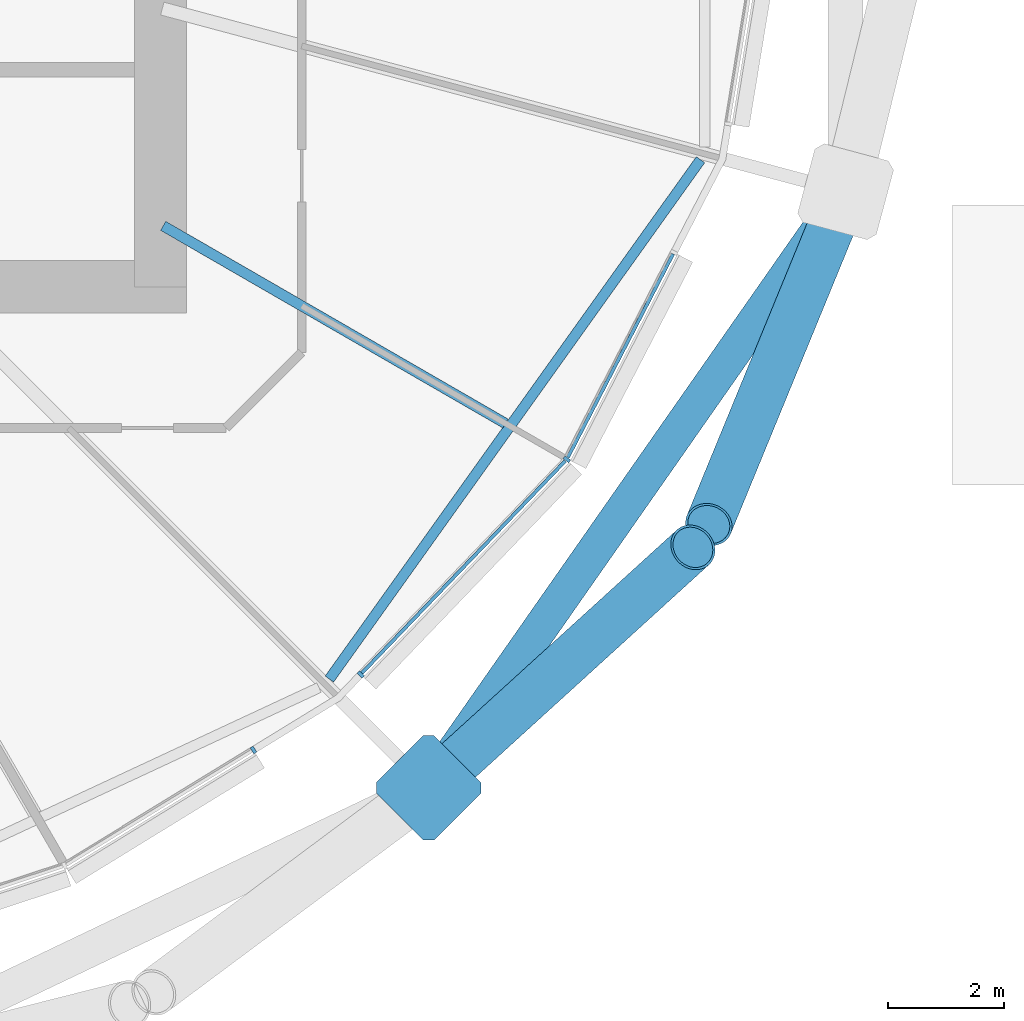
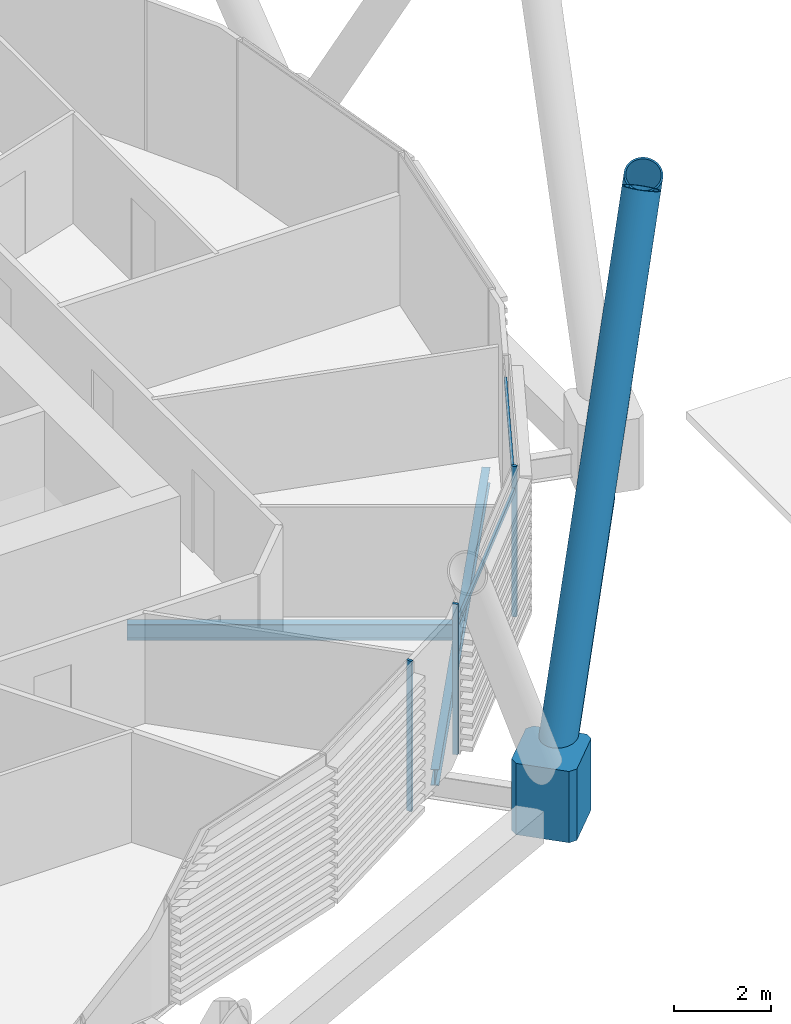
# One storey, part 6 of 34: 8 members, 3 beams, 1 element without a shape of its own.
"""IFC4 building model written with IfcOpenShell, lengths in metres."""

from ifc_helpers import new_model, si_unit, direction, frame, origin, origin_2d, place, context, subcontext, project, spatial, polyline, rectangle, hollow_rectangle, hollow_circle, i_section, outline, extrude, material, material_profile, profile_set, type_object, element, aggregate, save


model = new_model("IFC4")

# Units and contexts
model_context = context("Model", 3, precision=1e-05, world=origin(), true_north=direction((0.0, 1.0)))
body_context = subcontext(model_context, "Body", "Model", "MODEL_VIEW")
ifc_project = project(units=[si_unit("LENGTHUNIT", "METRE"), si_unit("AREAUNIT", "SQUARE_METRE"), si_unit("VOLUMEUNIT", "CUBIC_METRE"), si_unit("PLANEANGLEUNIT", "RADIAN"), si_unit("MASSUNIT", "GRAM", prefix="KILO")], contexts=[model_context])

# Site, building, storey
site_placement = place(None, origin())
site = spatial("IfcSite", under=ifc_project, at=site_placement, CompositionType="ELEMENT")
building_placement = place(site_placement, origin())
building = spatial("IfcBuilding", under=site, at=building_placement, Name="Rimbun Link Towers", CompositionType="ELEMENT")
storey_placement = place(building_placement, frame((0.0, 0.0, 41.39990234375)))
storey = spatial("IfcBuildingStorey", under=building, at=storey_placement, Name="L09", CompositionType="ELEMENT", Elevation=41.39990234375)

# Curtain wall, members
ifc_material_1 = material(Name="Aluminium 6063-T6 and low-iron glass", Category="aluminium")
curtain_wall_type = type_object("IfcCurtainWallType", Name="CW1 unitised vision wall", PredefinedType="NOTDEFINED", material=ifc_material_1)
curtain_wall_placement = place(storey_placement, origin())
curtain_wall = element("IfcCurtainWall", 1, at=curtain_wall_placement, inside=storey, type_object=curtain_wall_type, Name="CW1 L09 T1", PredefinedType="NOTDEFINED")
ifc_material_2 = material(Name="Aluminium 6063-T6", Category="aluminium")
ifc_material_profile_1 = material_profile(ifc_material_2, rectangle(XDim=0.1201171875, YDim=0.06005859375, at=origin_2d()), Name="MULLION 60X120")
ifc_profile_set_1 = profile_set([ifc_material_profile_1], Name="Aluminium 6063-T6")
member_type_1 = type_object("IfcMemberType", Name="CW1 mullion 60X120", PredefinedType="MULLION", material=ifc_profile_set_1)
member_1_placement = place(storey_placement, frame((-18.154052734375, -15.953857421875, 0.0), z_axis=(0.0, 0.0, 1.0), x_axis=(0.523240552823, -0.852185029135, 0.0)))
member_1 = element("IfcMember", 2, at=member_1_placement, type_object=member_type_1, Name="CW1 mullion", PredefinedType="MULLION", context=body_context, shape_type="SweptSolid", body=[
    extrude(rectangle(XDim=0.1201171875, YDim=0.06005859375, at=origin_2d()), origin(), (0.0, 0.0, 1.0), 3.800048828125),
])
member_2_placement = place(storey_placement, frame((-12.772216796875, -10.963623046875, 0.0), z_axis=(0.0, 0.0, 1.0), x_axis=(0.813348990661, -0.581776090426, 0.0)))
member_2 = element("IfcMember", 3, at=member_2_placement, type_object=member_type_1, Name="CW1 mullion", PredefinedType="MULLION", context=body_context, shape_type="SweptSolid", body=[
    extrude(rectangle(XDim=0.1201171875, YDim=0.06005859375, at=origin_2d()), origin(), (0.0, 0.0, 1.0), 3.800048828125),
])
member_3_placement = place(storey_placement, frame((-16.312744140625, -14.65771484375, 0.0), z_axis=(0.0, 0.0, 1.0), x_axis=(0.721848038908, -0.692051593976, 0.0)))
member_3 = element("IfcMember", 4, at=member_3_placement, type_object=member_type_1, Name="CW1 mullion", PredefinedType="MULLION", context=body_context, shape_type="SweptSolid", body=[
    extrude(rectangle(XDim=0.1201171875, YDim=0.06005859375, at=origin_2d()), origin(), (0.0, 0.0, 1.0), 3.800048828125),
])
ifc_material_3 = material(Name="Aluminium 6063-T6", Category="aluminium")
ifc_material_profile_2 = material_profile(ifc_material_3, rectangle(XDim=0.06005859375, YDim=0.1201171875, at=origin_2d()), Name="TRANSOM 60X120")
ifc_profile_set_2 = profile_set([ifc_material_profile_2], Name="Aluminium 6063-T6")
member_type_2 = type_object("IfcMemberType", Name="CW1 transom 60X120", PredefinedType="USERDEFINED", material=ifc_profile_set_2)
member_4_placement = place(storey_placement, frame((-12.7998046875, -10.990478515625, 3.2001953125), z_axis=(-0.69203034464, -0.721868410513, 0.0), x_axis=(0.721868410513, -0.69203034464, 0.0)))
member_4 = element("IfcMember", 5, at=member_4_placement, type_object=member_type_2, Name="CW1 transom", ObjectType="TRANSOM", PredefinedType="USERDEFINED", context=body_context, shape_type="SweptSolid", body=[
    extrude(rectangle(XDim=0.06005859375, YDim=0.1201171875, at=origin_2d()), origin(), (0.0, 0.0, 1.0), 5.04833984375),
])
member_5_placement = place(storey_placement, frame((-10.948974609375, -7.437255859375, 3.2001953125), z_axis=(-0.459566520124, -0.888143351932, 0.0), x_axis=(0.888143351932, -0.459566520124, 0.0)))
member_5 = element("IfcMember", 6, at=member_5_placement, type_object=member_type_2, Name="CW1 transom", ObjectType="TRANSOM", PredefinedType="USERDEFINED", context=body_context, shape_type="SweptSolid", body=[
    extrude(rectangle(XDim=0.06005859375, YDim=0.1201171875, at=origin_2d()), origin(), (0.0, 0.0, 1.0), 3.93115234375),
])
aggregate(curtain_wall, [member_1, member_2, member_3, member_4, member_5])

# Members
ifc_material_4 = material(Name="Steel S460NH", Category="steel")
ifc_material_profile_3 = material_profile(ifc_material_4, hollow_circle(Radius=0.406494140625, WallThickness=0.0400390625, at=origin_2d()), Name="Diagrid diagonal CHS 813x40")
ifc_profile_set_3 = profile_set([ifc_material_profile_3], Name="Steel S460NH")
member_type_3 = type_object("IfcMemberType", Name="Diagrid diagonal CHS 813x40", PredefinedType="BRACE", material=ifc_profile_set_3)
member_6_placement = place(storey_placement, frame((-14.965087890625, -16.43994140625, 0.436279296875), z_axis=(0.361120506865, 0.328699802315, 0.872667416304), x_axis=(-0.673130610062, 0.739523618147, 0.0)))
element("IfcMember", 7, at=member_6_placement, inside=storey, type_object=member_type_3, Name="Diagrid diagonal T1 L09-L12 21b", PredefinedType="BRACE", context=body_context, shape_type="SweptSolid", body=[
    extrude(hollow_circle(Radius=0.406494140625, WallThickness=0.0400390625, at=origin_2d()), origin(), (0.0, 0.0, 1.0), 12.063720703125),
])
member_7_placement = place(storey_placement, frame((-8.079345703125, -6.594482421875, 0.435791015625), z_axis=(-0.186611684446, -0.454146340086, 0.871164267527), x_axis=(0.924957323717, -0.380070979295, 0.0)))
element("IfcMember", 8, at=member_7_placement, inside=storey, type_object=member_type_3, Name="Diagrid diagonal T1 L09-L12 23a", PredefinedType="BRACE", context=body_context, shape_type="SweptSolid", body=[
    extrude(hollow_circle(Radius=0.406494140625, WallThickness=0.0400390625, at=origin_2d()), origin(), (0.0, 0.0, 1.0), 12.0859375),
])
ifc_material_5 = material(Name="Cast steel G20Mn5+QT, Rp0.2 300 MPa", Category="steel")
ifc_material_profile_4 = material_profile(ifc_material_5, outline(polyline([(0.699951171875, -0.570068359375), (0.699951171875, 0.570068359375), (0.570068359375, 0.699951171875), (-0.570068359375, 0.699951171875), (-0.699951171875, 0.570068359375), (-0.699951171875, -0.570068359375), (-0.570068359375, -0.699951171875), (0.570068359375, -0.699951171875), (0.699951171875, -0.570068359375)])), Name="NODE 1400x1400")
ifc_profile_set_4 = profile_set([ifc_material_profile_4], Name="Cast steel G20Mn5+QT, Rp0.2 300 MPa")
member_type_4 = type_object("IfcMemberType", Name="Diagrid node cast 1400", PredefinedType="USERDEFINED", material=ifc_profile_set_4)
member_8_placement = place(storey_placement, frame((-15.145751953125, -16.604248046875, -0.89990234375), z_axis=(0.0, 0.0, 1.0), x_axis=(0.707106781187, -0.707106781187, 0.0)))
element("IfcMember", 9, at=member_8_placement, inside=storey, type_object=member_type_4, Name="Diagrid node L09 21", ObjectType="Diagrid node", PredefinedType="USERDEFINED", context=body_context, shape_type="SweptSolid", body=[
    extrude(outline(polyline([(0.699951171875, -0.570068359375), (0.699951171875, 0.570068359375), (0.570068359375, 0.699951171875), (-0.570068359375, 0.699951171875), (-0.699951171875, 0.570068359375), (-0.699951171875, -0.570068359375), (-0.570068359375, -0.699951171875), (0.570068359375, -0.699951171875), (0.699951171875, -0.570068359375)])), origin(), (0.0, 0.0, 1.0), 1.800048828125),
])

# Beams
ifc_material_6 = material(Name="Steel S355J2", Category="steel")
ifc_material_profile_5 = material_profile(ifc_material_6, hollow_rectangle(XDim=0.60009765625, YDim=0.800048828125, WallThickness=0.0400390625, at=origin_2d()), Name="Exoskeleton ring girder BOX 600x800x40")
ifc_profile_set_5 = profile_set([ifc_material_profile_5], Name="Steel S355J2")
beam_type_1 = type_object("IfcBeamType", Name="Exoskeleton ring girder BOX 600x800x40", PredefinedType="BEAM", material=ifc_profile_set_5)
beam_1_placement = place(storey_placement, frame((-14.74462890625, -16.030517578125, -0.559814453125), z_axis=(0.57315208887, 0.819449011852, 0.0), x_axis=(-0.819449011852, 0.57315208887, 0.0)))
element("IfcBeam", 10, at=beam_1_placement, inside=storey, type_object=beam_type_1, Name="Exoskeleton ring girder L09 08", PredefinedType="BEAM", context=body_context, shape_type="SweptSolid", body=[
    extrude(hollow_rectangle(XDim=0.60009765625, YDim=0.800048828125, WallThickness=0.0400390625, at=origin_2d()), origin(), (0.0, 0.0, 1.0), 11.092041015625),
])
ifc_material_7 = material(Name="Steel S355J2", Category="steel")
ifc_material_profile_6 = material_profile(ifc_material_7, i_section(OverallWidth=0.177978515625, OverallDepth=0.406494140625, WebThickness=0.0078125, FlangeThickness=0.0126953125, at=origin_2d()), Name="UB 406x178x60")
ifc_profile_set_6 = profile_set([ifc_material_profile_6], Name="Steel S355J2")
beam_type_2 = type_object("IfcBeamType", Name="UB 406x178x60", PredefinedType="BEAM", material=ifc_profile_set_6)
beam_2_placement = place(storey_placement, frame((-19.70458984375, -6.954345703125, -0.363037109375), z_axis=(0.866019088595, -0.50001093807, 0.0), x_axis=(0.50001093807, 0.866019088595, 0.0)))
element("IfcBeam", 11, at=beam_2_placement, inside=storey, type_object=beam_type_2, Name="Radial beam T1 L09 22", PredefinedType="BEAM", context=body_context, shape_type="SweptSolid", body=[
    extrude(i_section(OverallWidth=0.177978515625, OverallDepth=0.406494140625, WebThickness=0.0078125, FlangeThickness=0.0126953125, at=origin_2d()), origin(), (0.0, 0.0, 1.0), 6.788330078125),
])
beam_3_placement = place(storey_placement, frame((-16.850830078125, -14.73681640625, -0.363037109375), z_axis=(0.581413053043, 0.813608543312, 0.0), x_axis=(-0.813608543312, 0.581413053043, 0.0)))
element("IfcBeam", 12, at=beam_3_placement, inside=storey, type_object=beam_type_2, Name="Edge beam T1 L09 21-23", PredefinedType="BEAM", context=body_context, shape_type="SweptSolid", body=[
    extrude(i_section(OverallWidth=0.177978515625, OverallDepth=0.406494140625, WebThickness=0.0078125, FlangeThickness=0.0126953125, at=origin_2d()), origin(), (0.0, 0.0, 1.0), 10.96142578125),
])

save(model, "model.ifc")
